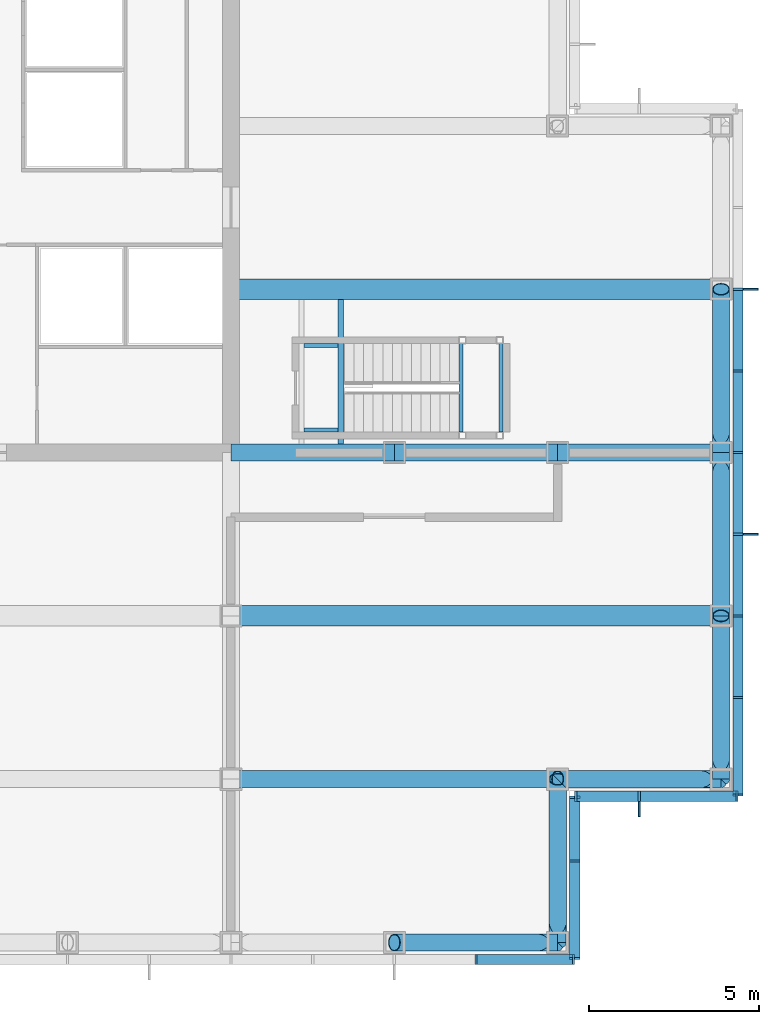
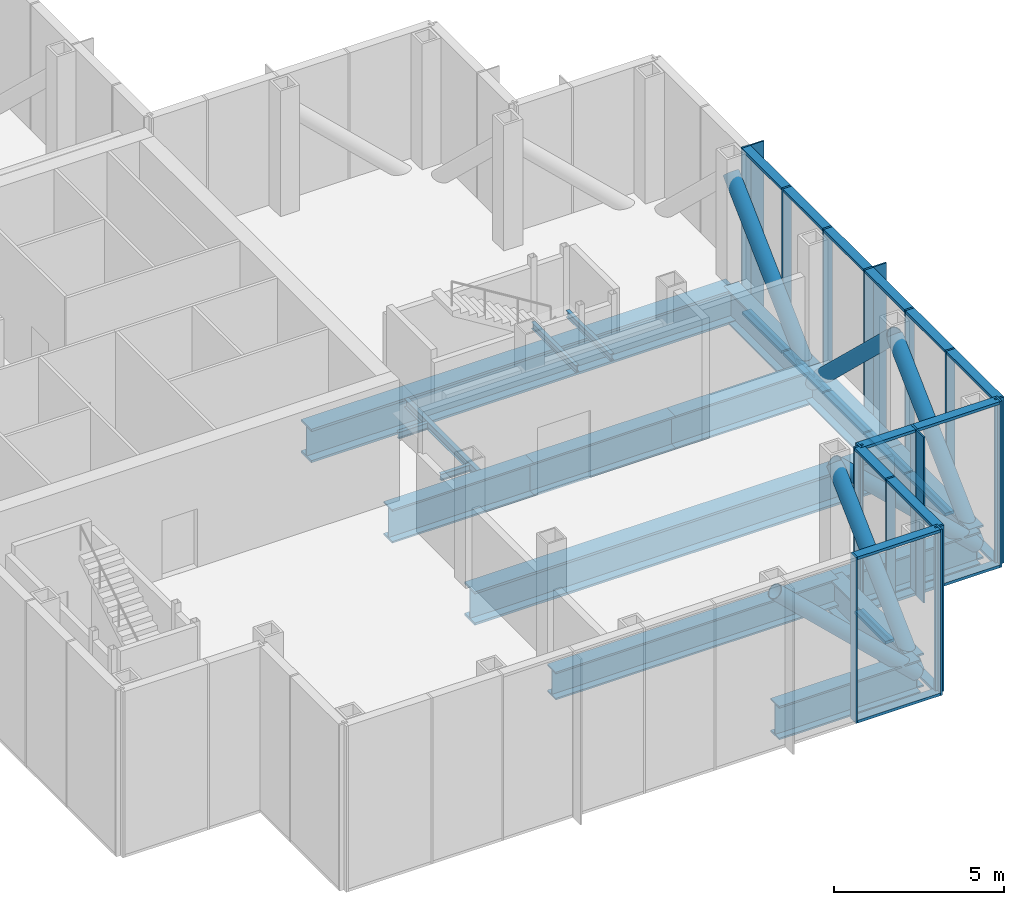
# One storey, part 8 of 17: 46 members, 17 beams, 4 elements without a shape of their own.
"""IFC4 building model written with IfcOpenShell, lengths in metres."""

from ifc_helpers import new_model, si_unit, direction, frame, origin, origin_2d, place, context, subcontext, project, spatial, rectangle, hollow_circle, i_section, extrude, material, material_profile, profile_set, type_object, element, aggregate, save


model = new_model("IFC4")

# Units and contexts
model_context = context("Model", 3, precision=1e-05, world=origin(), true_north=direction((0.0, 1.0)))
body_context = subcontext(model_context, "Body", "Model", "MODEL_VIEW")
ifc_project = project(units=[si_unit("LENGTHUNIT", "METRE"), si_unit("AREAUNIT", "SQUARE_METRE"), si_unit("VOLUMEUNIT", "CUBIC_METRE"), si_unit("PLANEANGLEUNIT", "RADIAN"), si_unit("MASSUNIT", "GRAM", prefix="KILO")], contexts=[model_context])

# Site, building, storey
site_placement = place(None, origin())
site = spatial("IfcSite", under=ifc_project, at=site_placement, CompositionType="ELEMENT")
building_placement = place(site_placement, origin())
building = spatial("IfcBuilding", under=site, at=building_placement, Name="Kvirike Care Tower", CompositionType="ELEMENT")
storey_placement = place(building_placement, frame((0.0, 0.0, 136.5)))
storey = spatial("IfcBuildingStorey", under=building, at=storey_placement, Name="L37", CompositionType="ELEMENT", Elevation=136.5)

# Members
ifc_material_1 = material(Name="Steel S355", Category="steel")
ifc_material_profile_1 = material_profile(ifc_material_1, hollow_circle(Radius=0.25390625, WallThickness=0.02490234375, at=origin_2d()), Name="CHS 508x25")
ifc_profile_set_1 = profile_set([ifc_material_profile_1], Name="Steel S355")
member_type_1 = type_object("IfcMemberType", Name="BELT TRUSS DIAGONAL CHS 508x25", PredefinedType="BRACE", material=ifc_profile_set_1)
for number, where, z_axis, x_axis, name in (
    (1, (43.199951171875, 19.199951171875, -0.85009765625), (0.0, 0.723490032929, 0.690334826191), (-1.0, 0.0, 0.0), "Belt truss diagonal E12-F12 L37"),
    (2, (43.199951171875, 28.800048828125, -0.85009765625), (0.0, -0.723490032929, 0.690334826191), (1.0, 0.0, 0.0), "Belt truss diagonal F12-G12 L37"),
    (3, (43.199951171875, 28.800048828125, -0.85009765625), (0.0, 0.723490032929, 0.690334826191), (-1.0, 0.0, 0.0), "Belt truss diagonal G12-H12 L37"),
):
    element("IfcMember", number, at=place(storey_placement, frame(where, z_axis=z_axis, x_axis=x_axis)), inside=storey, type_object=member_type_1, Name=name, PredefinedType="BRACE", context=body_context, shape_type="SweptSolid", body=[
        extrude(hollow_circle(Radius=0.25390625, WallThickness=0.02490234375, at=origin_2d()), origin(), (0.0, 0.0, 1.0), 6.634521484375),
    ])
member_1_placement = place(storey_placement, frame((38.39990234375, 14.39990234375, -0.85009765625), z_axis=(-0.723472495583, 0.0, 0.690353205348), x_axis=(0.0, -1.0, 0.0)))
element("IfcMember", 4, at=member_1_placement, inside=storey, type_object=member_type_1, Name="Belt truss diagonal D10-D11 L37", PredefinedType="BRACE", context=body_context, shape_type="SweptSolid", body=[
    extrude(hollow_circle(Radius=0.25390625, WallThickness=0.02490234375, at=origin_2d()), origin(), (0.0, 0.0, 1.0), 6.63427734375),
])
for number, where, z_axis, x_axis, name in (
    (5, (38.39990234375, 14.39990234375, -0.85009765625), (0.0, 0.723490032929, 0.690334826191), (-1.0, 0.0, 0.0), "Belt truss diagonal D11-E11 L37"),
    (6, (43.199951171875, 19.199951171875, -0.85009765625), (-0.723490032929, 0.0, 0.690334826191), (0.0, -1.0, 0.0), "Belt truss diagonal E11-E12 L37"),
):
    element("IfcMember", number, at=place(storey_placement, frame(where, z_axis=z_axis, x_axis=x_axis)), inside=storey, type_object=member_type_1, Name=name, PredefinedType="BRACE", context=body_context, shape_type="SweptSolid", body=[
        extrude(hollow_circle(Radius=0.25390625, WallThickness=0.02490234375, at=origin_2d()), origin(), (0.0, 0.0, 1.0), 6.634521484375),
    ])

# Curtain wall, members
ifc_material_2 = material(Name="Anodised aluminium stick system", Category="aluminium")
curtain_wall_type = type_object("IfcCurtainWallType", Name="CW-L LOUVRED PLANT SCREEN", PredefinedType="NOTDEFINED", material=ifc_material_2)
curtain_wall_1_placement = place(storey_placement, origin())
curtain_wall_1 = element("IfcCurtainWall", 7, at=curtain_wall_1_placement, inside=storey, type_object=curtain_wall_type, Name="Curtain wall L37 face 1", PredefinedType="NOTDEFINED")
ifc_material_3 = material(Name="Bronze anodised aluminium fin", Category="aluminium")
ifc_material_profile_2 = material_profile(ifc_material_3, rectangle(XDim=0.050048828125, YDim=0.449951171875, at=origin_2d()), Name="BRONZE FIN 450")
ifc_profile_set_2 = profile_set([ifc_material_profile_2], Name="Bronze anodised aluminium fin")
member_type_2 = type_object("IfcMemberType", Name="BRONZE FIN 450", PredefinedType="USERDEFINED", material=ifc_profile_set_2)
member_2_placement = place(storey_placement, frame((44.074951171875, 26.39990234375, -1.449951171875), z_axis=(0.0, 0.0, 1.0), x_axis=(0.0, 1.0, 0.0)))
member_2 = element("IfcMember", 8, at=member_2_placement, type_object=member_type_2, Name="Bronze fin L37 face 1.4", ObjectType="FIN", PredefinedType="USERDEFINED", context=body_context, shape_type="SweptSolid", body=[
    extrude(rectangle(XDim=0.050048828125, YDim=0.449951171875, at=origin_2d()), origin(), (0.0, 0.0, 1.0), 5.949951171875),
])
member_3_placement = place(storey_placement, frame((44.074951171875, 33.60009765625, -1.449951171875), z_axis=(0.0, 0.0, 1.0), x_axis=(0.0, 1.0, 0.0)))
member_3 = element("IfcMember", 9, at=member_3_placement, type_object=member_type_2, Name="Bronze fin L37 face 1.7", ObjectType="FIN", PredefinedType="USERDEFINED", context=body_context, shape_type="SweptSolid", body=[
    extrude(rectangle(XDim=0.050048828125, YDim=0.449951171875, at=origin_2d()), origin(), (0.0, 0.0, 1.0), 5.949951171875),
])

# Curtain wall, member
curtain_wall_2_placement = place(storey_placement, origin())
curtain_wall_2 = element("IfcCurtainWall", 10, at=curtain_wall_2_placement, inside=storey, type_object=curtain_wall_type, Name="Curtain wall L37 face 20", PredefinedType="NOTDEFINED")
member_4_placement = place(storey_placement, frame((40.800048828125, 18.324951171875, -1.449951171875), z_axis=(0.0, 0.0, 1.0), x_axis=(1.0, 0.0, 0.0)))
member_4 = element("IfcMember", 11, at=member_4_placement, type_object=member_type_2, Name="Bronze fin L37 face 20.2", ObjectType="FIN", PredefinedType="USERDEFINED", context=body_context, shape_type="SweptSolid", body=[
    extrude(rectangle(XDim=0.050048828125, YDim=0.449951171875, at=origin_2d()), origin(), (0.0, 0.0, 1.0), 5.949951171875),
])

# Member
ifc_material_4 = material(Name="Bronze anodised aluminium mullion", Category="aluminium")
ifc_material_profile_3 = material_profile(ifc_material_4, rectangle(XDim=0.06494140625, YDim=0.300048828125, at=origin_2d()), Name="CW-L MULLION 65x300")
ifc_profile_set_3 = profile_set([ifc_material_profile_3], Name="Bronze anodised aluminium mullion")
member_type_3 = type_object("IfcMemberType", Name="CW-L MULLION 65x300", PredefinedType="MULLION", material=ifc_profile_set_3)
member_5_placement = place(storey_placement, frame((43.699951171875, 18.732421875, -1.449951171875), z_axis=(0.0, 0.0, 1.0), x_axis=(0.0, 1.0, 0.0)))
member_5 = element("IfcMember", 12, at=member_5_placement, type_object=member_type_3, Name="CW-L mullion L37 face 1.1", PredefinedType="MULLION", context=body_context, shape_type="SweptSolid", body=[
    extrude(rectangle(XDim=0.06494140625, YDim=0.300048828125, at=origin_2d()), origin(), (0.0, 0.0, 1.0), 5.949951171875),
])

member_6_placement = place(storey_placement, frame((43.699951171875, 21.60009765625, -1.449951171875), z_axis=(0.0, 0.0, 1.0), x_axis=(0.0, 1.0, 0.0)))
member_6 = element("IfcMember", 13, at=member_6_placement, type_object=member_type_3, Name="CW-L mullion L37 face 1.2", PredefinedType="MULLION", context=body_context, shape_type="SweptSolid", body=[
    extrude(rectangle(XDim=0.06494140625, YDim=0.300048828125, at=origin_2d()), origin(), (0.0, 0.0, 1.0), 5.949951171875),
])

member_7_placement = place(storey_placement, frame((43.699951171875, 24.0, -1.449951171875), z_axis=(0.0, 0.0, 1.0), x_axis=(0.0, 1.0, 0.0)))
member_7 = element("IfcMember", 14, at=member_7_placement, type_object=member_type_3, Name="CW-L mullion L37 face 1.3", PredefinedType="MULLION", context=body_context, shape_type="SweptSolid", body=[
    extrude(rectangle(XDim=0.06494140625, YDim=0.300048828125, at=origin_2d()), origin(), (0.0, 0.0, 1.0), 5.949951171875),
])

member_8_placement = place(storey_placement, frame((43.699951171875, 26.39990234375, -1.449951171875), z_axis=(0.0, 0.0, 1.0), x_axis=(0.0, 1.0, 0.0)))
member_8 = element("IfcMember", 15, at=member_8_placement, type_object=member_type_3, Name="CW-L mullion L37 face 1.4", PredefinedType="MULLION", context=body_context, shape_type="SweptSolid", body=[
    extrude(rectangle(XDim=0.06494140625, YDim=0.300048828125, at=origin_2d()), origin(), (0.0, 0.0, 1.0), 5.949951171875),
])

member_9_placement = place(storey_placement, frame((43.699951171875, 28.800048828125, -1.449951171875), z_axis=(0.0, 0.0, 1.0), x_axis=(0.0, 1.0, 0.0)))
member_9 = element("IfcMember", 16, at=member_9_placement, type_object=member_type_3, Name="CW-L mullion L37 face 1.5", PredefinedType="MULLION", context=body_context, shape_type="SweptSolid", body=[
    extrude(rectangle(XDim=0.06494140625, YDim=0.300048828125, at=origin_2d()), origin(), (0.0, 0.0, 1.0), 5.949951171875),
])

member_10_placement = place(storey_placement, frame((43.699951171875, 31.199951171875, -1.449951171875), z_axis=(0.0, 0.0, 1.0), x_axis=(0.0, 1.0, 0.0)))
member_10 = element("IfcMember", 17, at=member_10_placement, type_object=member_type_3, Name="CW-L mullion L37 face 1.6", PredefinedType="MULLION", context=body_context, shape_type="SweptSolid", body=[
    extrude(rectangle(XDim=0.06494140625, YDim=0.300048828125, at=origin_2d()), origin(), (0.0, 0.0, 1.0), 5.949951171875),
])

member_11_placement = place(storey_placement, frame((43.699951171875, 33.60009765625, -1.449951171875), z_axis=(0.0, 0.0, 1.0), x_axis=(0.0, 1.0, 0.0)))
member_11 = element("IfcMember", 18, at=member_11_placement, type_object=member_type_3, Name="CW-L mullion L37 face 1.7", PredefinedType="MULLION", context=body_context, shape_type="SweptSolid", body=[
    extrude(rectangle(XDim=0.06494140625, YDim=0.300048828125, at=origin_2d()), origin(), (0.0, 0.0, 1.0), 5.949951171875),
])

# Curtain wall, members
curtain_wall_3_placement = place(storey_placement, origin())
curtain_wall_3 = element("IfcCurtainWall", 19, at=curtain_wall_3_placement, inside=storey, type_object=curtain_wall_type, Name="Curtain wall L37 face 18", PredefinedType="NOTDEFINED")
member_12_placement = place(storey_placement, frame((36.0, 13.89990234375, -1.449951171875), z_axis=(0.0, 0.0, 1.0), x_axis=(1.0, 0.0, 0.0)))
member_12 = element("IfcMember", 20, at=member_12_placement, type_object=member_type_3, Name="CW-L mullion L37 face 18.8", PredefinedType="MULLION", context=body_context, shape_type="SweptSolid", body=[
    extrude(rectangle(XDim=0.06494140625, YDim=0.300048828125, at=origin_2d()), origin(), (0.0, 0.0, 1.0), 5.949951171875),
])
member_13_placement = place(storey_placement, frame((38.867431640625, 13.89990234375, -1.449951171875), z_axis=(0.0, 0.0, 1.0), x_axis=(1.0, 0.0, 0.0)))
member_13 = element("IfcMember", 21, at=member_13_placement, type_object=member_type_3, Name="CW-L mullion L37 face 18.9", PredefinedType="MULLION", context=body_context, shape_type="SweptSolid", body=[
    extrude(rectangle(XDim=0.06494140625, YDim=0.300048828125, at=origin_2d()), origin(), (0.0, 0.0, 1.0), 5.949951171875),
])

curtain_wall_4_placement = place(storey_placement, origin())
curtain_wall_4 = element("IfcCurtainWall", 22, at=curtain_wall_4_placement, inside=storey, type_object=curtain_wall_type, Name="Curtain wall L37 face 19", PredefinedType="NOTDEFINED")
member_14_placement = place(storey_placement, frame((38.89990234375, 13.9326171875, -1.449951171875), z_axis=(0.0, 0.0, 1.0), x_axis=(0.0, 1.0, 0.0)))
member_14 = element("IfcMember", 23, at=member_14_placement, type_object=member_type_3, Name="CW-L mullion L37 face 19.1", PredefinedType="MULLION", context=body_context, shape_type="SweptSolid", body=[
    extrude(rectangle(XDim=0.06494140625, YDim=0.300048828125, at=origin_2d()), origin(), (0.0, 0.0, 1.0), 5.949951171875),
])
member_15_placement = place(storey_placement, frame((38.89990234375, 16.800048828125, -1.449951171875), z_axis=(0.0, 0.0, 1.0), x_axis=(0.0, 1.0, 0.0)))
member_15 = element("IfcMember", 24, at=member_15_placement, type_object=member_type_3, Name="CW-L mullion L37 face 19.2", PredefinedType="MULLION", context=body_context, shape_type="SweptSolid", body=[
    extrude(rectangle(XDim=0.06494140625, YDim=0.300048828125, at=origin_2d()), origin(), (0.0, 0.0, 1.0), 5.949951171875),
])
member_16_placement = place(storey_placement, frame((38.89990234375, 18.66748046875, -1.449951171875), z_axis=(0.0, 0.0, 1.0), x_axis=(0.0, 1.0, 0.0)))
member_16 = element("IfcMember", 25, at=member_16_placement, type_object=member_type_3, Name="CW-L mullion L37 face 19.3", PredefinedType="MULLION", context=body_context, shape_type="SweptSolid", body=[
    extrude(rectangle(XDim=0.06494140625, YDim=0.300048828125, at=origin_2d()), origin(), (0.0, 0.0, 1.0), 5.949951171875),
])

# Member
member_17_placement = place(storey_placement, frame((38.9326171875, 18.699951171875, -1.449951171875), z_axis=(0.0, 0.0, 1.0), x_axis=(1.0, 0.0, 0.0)))
member_17 = element("IfcMember", 26, at=member_17_placement, type_object=member_type_3, Name="CW-L mullion L37 face 20.1", PredefinedType="MULLION", context=body_context, shape_type="SweptSolid", body=[
    extrude(rectangle(XDim=0.06494140625, YDim=0.300048828125, at=origin_2d()), origin(), (0.0, 0.0, 1.0), 5.949951171875),
])

member_18_placement = place(storey_placement, frame((40.800048828125, 18.699951171875, -1.449951171875), z_axis=(0.0, 0.0, 1.0), x_axis=(1.0, 0.0, 0.0)))
member_18 = element("IfcMember", 27, at=member_18_placement, type_object=member_type_3, Name="CW-L mullion L37 face 20.2", PredefinedType="MULLION", context=body_context, shape_type="SweptSolid", body=[
    extrude(rectangle(XDim=0.06494140625, YDim=0.300048828125, at=origin_2d()), origin(), (0.0, 0.0, 1.0), 5.949951171875),
])

member_19_placement = place(storey_placement, frame((43.66748046875, 18.699951171875, -1.449951171875), z_axis=(0.0, 0.0, 1.0), x_axis=(1.0, 0.0, 0.0)))
member_19 = element("IfcMember", 28, at=member_19_placement, type_object=member_type_3, Name="CW-L mullion L37 face 20.3", PredefinedType="MULLION", context=body_context, shape_type="SweptSolid", body=[
    extrude(rectangle(XDim=0.06494140625, YDim=0.300048828125, at=origin_2d()), origin(), (0.0, 0.0, 1.0), 5.949951171875),
])

ifc_material_5 = material(Name="Bronze anodised aluminium transom", Category="aluminium")
ifc_material_profile_4 = material_profile(ifc_material_5, rectangle(XDim=0.300048828125, YDim=0.10009765625, at=origin_2d()), Name="CW-L TRANSOM 300x100")
ifc_profile_set_4 = profile_set([ifc_material_profile_4], Name="Bronze anodised aluminium transom")
member_type_4 = type_object("IfcMemberType", Name="CW-L TRANSOM 300x100", PredefinedType="USERDEFINED", material=ifc_profile_set_4)
member_20_placement = place(storey_placement, frame((43.699951171875, 18.764892578125, -1.39990234375), z_axis=(0.0, 1.0, 0.0), x_axis=(-1.0, 0.0, 0.0)))
member_20 = element("IfcMember", 29, at=member_20_placement, type_object=member_type_4, Name="CW-L sill transom L37 face 1.1", ObjectType="TRANSOM", PredefinedType="USERDEFINED", context=body_context, shape_type="SweptSolid", body=[
    extrude(rectangle(XDim=0.300048828125, YDim=0.10009765625, at=origin_2d()), origin(), (0.0, 0.0, 1.0), 2.802490234375),
])

member_21_placement = place(storey_placement, frame((43.699951171875, 18.764892578125, 4.449951171875), z_axis=(0.0, 1.0, 0.0), x_axis=(-1.0, 0.0, 0.0)))
member_21 = element("IfcMember", 30, at=member_21_placement, type_object=member_type_4, Name="CW-L head transom L37 face 1.1", ObjectType="TRANSOM", PredefinedType="USERDEFINED", context=body_context, shape_type="SweptSolid", body=[
    extrude(rectangle(XDim=0.300048828125, YDim=0.10009765625, at=origin_2d()), origin(), (0.0, 0.0, 1.0), 2.802490234375),
])

member_22_placement = place(storey_placement, frame((43.699951171875, 21.632568359375, -1.39990234375), z_axis=(0.0, 1.0, 0.0), x_axis=(-1.0, 0.0, 0.0)))
member_22 = element("IfcMember", 31, at=member_22_placement, type_object=member_type_4, Name="CW-L sill transom L37 face 1.2", ObjectType="TRANSOM", PredefinedType="USERDEFINED", context=body_context, shape_type="SweptSolid", body=[
    extrude(rectangle(XDim=0.300048828125, YDim=0.10009765625, at=origin_2d()), origin(), (0.0, 0.0, 1.0), 2.3349609375),
])

member_23_placement = place(storey_placement, frame((43.699951171875, 21.632568359375, 4.449951171875), z_axis=(0.0, 1.0, 0.0), x_axis=(-1.0, 0.0, 0.0)))
member_23 = element("IfcMember", 32, at=member_23_placement, type_object=member_type_4, Name="CW-L head transom L37 face 1.2", ObjectType="TRANSOM", PredefinedType="USERDEFINED", context=body_context, shape_type="SweptSolid", body=[
    extrude(rectangle(XDim=0.300048828125, YDim=0.10009765625, at=origin_2d()), origin(), (0.0, 0.0, 1.0), 2.3349609375),
])

member_24_placement = place(storey_placement, frame((43.699951171875, 24.032470703125, -1.39990234375), z_axis=(0.0, 1.0, 0.0), x_axis=(-1.0, 0.0, 0.0)))
member_24 = element("IfcMember", 33, at=member_24_placement, type_object=member_type_4, Name="CW-L sill transom L37 face 1.3", ObjectType="TRANSOM", PredefinedType="USERDEFINED", context=body_context, shape_type="SweptSolid", body=[
    extrude(rectangle(XDim=0.300048828125, YDim=0.10009765625, at=origin_2d()), origin(), (0.0, 0.0, 1.0), 2.3349609375),
])

member_25_placement = place(storey_placement, frame((43.699951171875, 24.032470703125, 4.449951171875), z_axis=(0.0, 1.0, 0.0), x_axis=(-1.0, 0.0, 0.0)))
member_25 = element("IfcMember", 34, at=member_25_placement, type_object=member_type_4, Name="CW-L head transom L37 face 1.3", ObjectType="TRANSOM", PredefinedType="USERDEFINED", context=body_context, shape_type="SweptSolid", body=[
    extrude(rectangle(XDim=0.300048828125, YDim=0.10009765625, at=origin_2d()), origin(), (0.0, 0.0, 1.0), 2.3349609375),
])

member_26_placement = place(storey_placement, frame((43.699951171875, 26.4326171875, -1.39990234375), z_axis=(0.0, 1.0, 0.0), x_axis=(-1.0, 0.0, 0.0)))
member_26 = element("IfcMember", 35, at=member_26_placement, type_object=member_type_4, Name="CW-L sill transom L37 face 1.4", ObjectType="TRANSOM", PredefinedType="USERDEFINED", context=body_context, shape_type="SweptSolid", body=[
    extrude(rectangle(XDim=0.300048828125, YDim=0.10009765625, at=origin_2d()), origin(), (0.0, 0.0, 1.0), 2.3349609375),
])

member_27_placement = place(storey_placement, frame((43.699951171875, 26.4326171875, 4.449951171875), z_axis=(0.0, 1.0, 0.0), x_axis=(-1.0, 0.0, 0.0)))
member_27 = element("IfcMember", 36, at=member_27_placement, type_object=member_type_4, Name="CW-L head transom L37 face 1.4", ObjectType="TRANSOM", PredefinedType="USERDEFINED", context=body_context, shape_type="SweptSolid", body=[
    extrude(rectangle(XDim=0.300048828125, YDim=0.10009765625, at=origin_2d()), origin(), (0.0, 0.0, 1.0), 2.3349609375),
])

member_28_placement = place(storey_placement, frame((43.699951171875, 28.83251953125, -1.39990234375), z_axis=(0.0, 1.0, 0.0), x_axis=(-1.0, 0.0, 0.0)))
member_28 = element("IfcMember", 37, at=member_28_placement, type_object=member_type_4, Name="CW-L sill transom L37 face 1.5", ObjectType="TRANSOM", PredefinedType="USERDEFINED", context=body_context, shape_type="SweptSolid", body=[
    extrude(rectangle(XDim=0.300048828125, YDim=0.10009765625, at=origin_2d()), origin(), (0.0, 0.0, 1.0), 2.3349609375),
])

member_29_placement = place(storey_placement, frame((43.699951171875, 28.83251953125, 4.449951171875), z_axis=(0.0, 1.0, 0.0), x_axis=(-1.0, 0.0, 0.0)))
member_29 = element("IfcMember", 38, at=member_29_placement, type_object=member_type_4, Name="CW-L head transom L37 face 1.5", ObjectType="TRANSOM", PredefinedType="USERDEFINED", context=body_context, shape_type="SweptSolid", body=[
    extrude(rectangle(XDim=0.300048828125, YDim=0.10009765625, at=origin_2d()), origin(), (0.0, 0.0, 1.0), 2.3349609375),
])

member_30_placement = place(storey_placement, frame((43.699951171875, 31.232421875, -1.39990234375), z_axis=(0.0, 1.0, 0.0), x_axis=(-1.0, 0.0, 0.0)))
member_30 = element("IfcMember", 39, at=member_30_placement, type_object=member_type_4, Name="CW-L sill transom L37 face 1.6", ObjectType="TRANSOM", PredefinedType="USERDEFINED", context=body_context, shape_type="SweptSolid", body=[
    extrude(rectangle(XDim=0.300048828125, YDim=0.10009765625, at=origin_2d()), origin(), (0.0, 0.0, 1.0), 2.3349609375),
])

member_31_placement = place(storey_placement, frame((43.699951171875, 31.232421875, 4.449951171875), z_axis=(0.0, 1.0, 0.0), x_axis=(-1.0, 0.0, 0.0)))
member_31 = element("IfcMember", 40, at=member_31_placement, type_object=member_type_4, Name="CW-L head transom L37 face 1.6", ObjectType="TRANSOM", PredefinedType="USERDEFINED", context=body_context, shape_type="SweptSolid", body=[
    extrude(rectangle(XDim=0.300048828125, YDim=0.10009765625, at=origin_2d()), origin(), (0.0, 0.0, 1.0), 2.3349609375),
])

aggregate(curtain_wall_1, [member_5, member_6, member_7, member_8, member_2, member_9, member_10, member_11, member_3, member_20, member_21, member_22, member_23, member_24, member_25, member_26, member_27, member_28, member_29, member_30, member_31])

member_32_placement = place(storey_placement, frame((36.032470703125, 13.89990234375, -1.39990234375), z_axis=(1.0, 0.0, 0.0), x_axis=(0.0, 1.0, 0.0)))
member_32 = element("IfcMember", 41, at=member_32_placement, type_object=member_type_4, Name="CW-L sill transom L37 face 18.8", ObjectType="TRANSOM", PredefinedType="USERDEFINED", context=body_context, shape_type="SweptSolid", body=[
    extrude(rectangle(XDim=0.300048828125, YDim=0.10009765625, at=origin_2d()), origin(), (0.0, 0.0, 1.0), 2.802490234375),
])

member_33_placement = place(storey_placement, frame((36.032470703125, 13.89990234375, 4.449951171875), z_axis=(1.0, 0.0, 0.0), x_axis=(0.0, 1.0, 0.0)))
member_33 = element("IfcMember", 42, at=member_33_placement, type_object=member_type_4, Name="CW-L head transom L37 face 18.8", ObjectType="TRANSOM", PredefinedType="USERDEFINED", context=body_context, shape_type="SweptSolid", body=[
    extrude(rectangle(XDim=0.300048828125, YDim=0.10009765625, at=origin_2d()), origin(), (0.0, 0.0, 1.0), 2.802490234375),
])

aggregate(curtain_wall_3, [member_12, member_13, member_32, member_33])

member_34_placement = place(storey_placement, frame((38.89990234375, 13.965087890625, -1.39990234375), z_axis=(0.0, 1.0, 0.0), x_axis=(-1.0, 0.0, 0.0)))
member_34 = element("IfcMember", 43, at=member_34_placement, type_object=member_type_4, Name="CW-L sill transom L37 face 19.1", ObjectType="TRANSOM", PredefinedType="USERDEFINED", context=body_context, shape_type="SweptSolid", body=[
    extrude(rectangle(XDim=0.300048828125, YDim=0.10009765625, at=origin_2d()), origin(), (0.0, 0.0, 1.0), 2.802490234375),
])

member_35_placement = place(storey_placement, frame((38.89990234375, 13.965087890625, 4.449951171875), z_axis=(0.0, 1.0, 0.0), x_axis=(-1.0, 0.0, 0.0)))
member_35 = element("IfcMember", 44, at=member_35_placement, type_object=member_type_4, Name="CW-L head transom L37 face 19.1", ObjectType="TRANSOM", PredefinedType="USERDEFINED", context=body_context, shape_type="SweptSolid", body=[
    extrude(rectangle(XDim=0.300048828125, YDim=0.10009765625, at=origin_2d()), origin(), (0.0, 0.0, 1.0), 2.802490234375),
])

member_36_placement = place(storey_placement, frame((38.89990234375, 16.83251953125, -1.39990234375), z_axis=(0.0, 1.0, 0.0), x_axis=(-1.0, 0.0, 0.0)))
member_36 = element("IfcMember", 45, at=member_36_placement, type_object=member_type_4, Name="CW-L sill transom L37 face 19.2", ObjectType="TRANSOM", PredefinedType="USERDEFINED", context=body_context, shape_type="SweptSolid", body=[
    extrude(rectangle(XDim=0.300048828125, YDim=0.10009765625, at=origin_2d()), origin(), (0.0, 0.0, 1.0), 1.802490234375),
])

member_37_placement = place(storey_placement, frame((38.89990234375, 16.83251953125, 4.449951171875), z_axis=(0.0, 1.0, 0.0), x_axis=(-1.0, 0.0, 0.0)))
member_37 = element("IfcMember", 46, at=member_37_placement, type_object=member_type_4, Name="CW-L head transom L37 face 19.2", ObjectType="TRANSOM", PredefinedType="USERDEFINED", context=body_context, shape_type="SweptSolid", body=[
    extrude(rectangle(XDim=0.300048828125, YDim=0.10009765625, at=origin_2d()), origin(), (0.0, 0.0, 1.0), 1.802490234375),
])

aggregate(curtain_wall_4, [member_14, member_15, member_16, member_34, member_35, member_36, member_37])

member_38_placement = place(storey_placement, frame((38.965087890625, 18.699951171875, -1.39990234375), z_axis=(1.0, 0.0, 0.0), x_axis=(0.0, 1.0, 0.0)))
member_38 = element("IfcMember", 47, at=member_38_placement, type_object=member_type_4, Name="CW-L sill transom L37 face 20.1", ObjectType="TRANSOM", PredefinedType="USERDEFINED", context=body_context, shape_type="SweptSolid", body=[
    extrude(rectangle(XDim=0.300048828125, YDim=0.10009765625, at=origin_2d()), origin(), (0.0, 0.0, 1.0), 1.802490234375),
])

member_39_placement = place(storey_placement, frame((38.965087890625, 18.699951171875, 4.449951171875), z_axis=(1.0, 0.0, 0.0), x_axis=(0.0, 1.0, 0.0)))
member_39 = element("IfcMember", 48, at=member_39_placement, type_object=member_type_4, Name="CW-L head transom L37 face 20.1", ObjectType="TRANSOM", PredefinedType="USERDEFINED", context=body_context, shape_type="SweptSolid", body=[
    extrude(rectangle(XDim=0.300048828125, YDim=0.10009765625, at=origin_2d()), origin(), (0.0, 0.0, 1.0), 1.802490234375),
])

member_40_placement = place(storey_placement, frame((40.83251953125, 18.699951171875, -1.39990234375), z_axis=(1.0, 0.0, 0.0), x_axis=(0.0, 1.0, 0.0)))
member_40 = element("IfcMember", 49, at=member_40_placement, type_object=member_type_4, Name="CW-L sill transom L37 face 20.2", ObjectType="TRANSOM", PredefinedType="USERDEFINED", context=body_context, shape_type="SweptSolid", body=[
    extrude(rectangle(XDim=0.300048828125, YDim=0.10009765625, at=origin_2d()), origin(), (0.0, 0.0, 1.0), 2.802490234375),
])

member_41_placement = place(storey_placement, frame((40.83251953125, 18.699951171875, 4.449951171875), z_axis=(1.0, 0.0, 0.0), x_axis=(0.0, 1.0, 0.0)))
member_41 = element("IfcMember", 50, at=member_41_placement, type_object=member_type_4, Name="CW-L head transom L37 face 20.2", ObjectType="TRANSOM", PredefinedType="USERDEFINED", context=body_context, shape_type="SweptSolid", body=[
    extrude(rectangle(XDim=0.300048828125, YDim=0.10009765625, at=origin_2d()), origin(), (0.0, 0.0, 1.0), 2.802490234375),
])

aggregate(curtain_wall_2, [member_17, member_18, member_4, member_19, member_38, member_39, member_40, member_41])

# Beams
ifc_material_6 = material(Name="Steel S355", Category="steel")
ifc_material_profile_5 = material_profile(ifc_material_6, i_section(OverallWidth=0.5, OverallDepth=1.199951171875, WebThickness=0.030029296875, FlangeThickness=0.06005859375, at=origin_2d()), Name="PG 1200x500x30x60")
ifc_profile_set_5 = profile_set([ifc_material_profile_5], Name="Steel S355")
beam_type_1 = type_object("IfcBeamType", Name="FRAME BEAM PG 1200x500x30x60", PredefinedType="BEAM", material=ifc_profile_set_5)
beam_1_placement = place(storey_placement, frame((28.800048828125, 28.800048828125, -0.85009765625), z_axis=(1.0, 0.0, 0.0), x_axis=(0.0, 1.0, 0.0)))
element("IfcBeam", 51, at=beam_1_placement, inside=storey, type_object=beam_type_1, Name="Frame Beam G9-G10 L37", PredefinedType="BEAM", context=body_context, shape_type="SweptSolid", body=[
    extrude(i_section(OverallWidth=0.5, OverallDepth=1.199951171875, WebThickness=0.030029296875, FlangeThickness=0.06005859375, at=origin_2d()), origin(), (0.0, 0.0, 1.0), 4.800048828125),
])
beam_2_placement = place(storey_placement, frame((33.60009765625, 28.800048828125, -0.85009765625), z_axis=(1.0, 0.0, 0.0), x_axis=(0.0, 1.0, 0.0)))
element("IfcBeam", 52, at=beam_2_placement, inside=storey, type_object=beam_type_1, Name="Frame Beam G10-G11 L37", PredefinedType="BEAM", context=body_context, shape_type="SweptSolid", body=[
    extrude(i_section(OverallWidth=0.5, OverallDepth=1.199951171875, WebThickness=0.030029296875, FlangeThickness=0.06005859375, at=origin_2d()), origin(), (0.0, 0.0, 1.0), 4.7998046875),
])
beam_3_placement = place(storey_placement, frame((38.39990234375, 28.800048828125, -0.85009765625), z_axis=(1.0, 0.0, 0.0), x_axis=(0.0, 1.0, 0.0)))
element("IfcBeam", 53, at=beam_3_placement, inside=storey, type_object=beam_type_1, Name="Frame Beam G11-G12 L37", PredefinedType="BEAM", context=body_context, shape_type="SweptSolid", body=[
    extrude(i_section(OverallWidth=0.5, OverallDepth=1.199951171875, WebThickness=0.030029296875, FlangeThickness=0.06005859375, at=origin_2d()), origin(), (0.0, 0.0, 1.0), 4.800048828125),
])
ifc_material_7 = material(Name="Steel S355", Category="steel")
ifc_material_profile_6 = material_profile(ifc_material_7, i_section(OverallWidth=0.5, OverallDepth=1.0, WebThickness=0.030029296875, FlangeThickness=0.06005859375, at=origin_2d()), Name="PG 1000x500x30x60")
ifc_profile_set_6 = profile_set([ifc_material_profile_6], Name="Steel S355")
beam_type_2 = type_object("IfcBeamType", Name="PLANT FLOOR GIRDER PG 1000x500x30x60", PredefinedType="BEAM", material=ifc_profile_set_6)
beam_4_placement = place(storey_placement, frame((28.800048828125, 19.199951171875, -0.75), z_axis=(1.0, 0.0, 0.0), x_axis=(0.0, 1.0, 0.0)))
element("IfcBeam", 54, at=beam_4_placement, inside=storey, type_object=beam_type_2, Name="Plant Floor Girder E9-E11 L37", PredefinedType="BEAM", context=body_context, shape_type="SweptSolid", body=[
    extrude(i_section(OverallWidth=0.5, OverallDepth=1.0, WebThickness=0.030029296875, FlangeThickness=0.06005859375, at=origin_2d()), origin(), (0.0, 0.0, 1.0), 9.599853515625),
])
ifc_material_8 = material(Name="Steel S355", Category="steel")
ifc_material_profile_7 = material_profile(ifc_material_8, i_section(OverallWidth=0.60009765625, OverallDepth=1.199951171875, WebThickness=0.0400390625, FlangeThickness=0.080078125, at=origin_2d()), Name="PG 1200x600x40x80")
ifc_profile_set_7 = profile_set([ifc_material_profile_7], Name="Steel S355")
beam_type_3 = type_object("IfcBeamType", Name="PLANT FLOOR GIRDER PG 1200x600x40x80", PredefinedType="BEAM", material=ifc_profile_set_7)
for number, where, z_axis, x_axis, name in (
    (55, (28.800048828125, 24.0, -0.85009765625), (1.0, 0.0, 0.0), (0.0, 1.0, 0.0), "Plant Floor Girder F9-F12 L37"),
    (56, (28.800048828125, 33.60009765625, -0.85009765625), (1.0, 0.0, 0.0), (0.0, 1.0, 0.0), "Plant Floor Girder H9-H12 L37"),
):
    element("IfcBeam", number, at=place(storey_placement, frame(where, z_axis=z_axis, x_axis=x_axis)), inside=storey, type_object=beam_type_3, Name=name, PredefinedType="BEAM", context=body_context, shape_type="SweptSolid", body=[
        extrude(i_section(OverallWidth=0.60009765625, OverallDepth=1.199951171875, WebThickness=0.0400390625, FlangeThickness=0.080078125, at=origin_2d()), origin(), (0.0, 0.0, 1.0), 14.39990234375),
    ])
ifc_material_9 = material(Name="Steel S355", Category="steel")
ifc_material_profile_8 = material_profile(ifc_material_9, i_section(OverallWidth=0.5, OverallDepth=1.199951171875, WebThickness=0.030029296875, FlangeThickness=0.06005859375, at=origin_2d()), Name="PG 1200x500x30x60")
ifc_profile_set_8 = profile_set([ifc_material_profile_8], Name="Steel S355")
beam_type_4 = type_object("IfcBeamType", Name="SPANDREL PG 1200x500x30x60", PredefinedType="SPANDREL", material=ifc_profile_set_8)
beam_5_placement = place(storey_placement, frame((33.60009765625, 14.39990234375, -0.85009765625), z_axis=(1.0, 0.0, 0.0), x_axis=(0.0, 1.0, 0.0)))
element("IfcBeam", 57, at=beam_5_placement, inside=storey, type_object=beam_type_4, Name="Spandrel D10-D11 L37", PredefinedType="SPANDREL", context=body_context, shape_type="SweptSolid", body=[
    extrude(i_section(OverallWidth=0.5, OverallDepth=1.199951171875, WebThickness=0.030029296875, FlangeThickness=0.06005859375, at=origin_2d()), origin(), (0.0, 0.0, 1.0), 4.7998046875),
])
for number, where, z_axis, x_axis, name in (
    (58, (38.39990234375, 19.199951171875, -0.85009765625), (1.0, 0.0, 0.0), (0.0, 1.0, 0.0), "Spandrel E11-E12 L37"),
    (59, (38.39990234375, 14.39990234375, -0.85009765625), (0.0, 1.0, 0.0), (-1.0, 0.0, 0.0), "Spandrel D11-E11 L37"),
    (60, (43.199951171875, 19.199951171875, -0.85009765625), (0.0, 1.0, 0.0), (-1.0, 0.0, 0.0), "Spandrel E12-F12 L37"),
    (61, (43.199951171875, 24.0, -0.85009765625), (0.0, 1.0, 0.0), (-1.0, 0.0, 0.0), "Spandrel F12-G12 L37"),
    (62, (43.199951171875, 28.800048828125, -0.85009765625), (0.0, 1.0, 0.0), (-1.0, 0.0, 0.0), "Spandrel G12-H12 L37"),
):
    element("IfcBeam", number, at=place(storey_placement, frame(where, z_axis=z_axis, x_axis=x_axis)), inside=storey, type_object=beam_type_4, Name=name, PredefinedType="SPANDREL", context=body_context, shape_type="SweptSolid", body=[
        extrude(i_section(OverallWidth=0.5, OverallDepth=1.199951171875, WebThickness=0.030029296875, FlangeThickness=0.06005859375, at=origin_2d()), origin(), (0.0, 0.0, 1.0), 4.800048828125),
    ])
ifc_material_10 = material(Name="Steel S355", Category="steel")
ifc_material_profile_9 = material_profile(ifc_material_10, i_section(OverallWidth=0.1201171875, OverallDepth=0.239990234375, WebThickness=0.006103515625, FlangeThickness=0.009765625, FilletRadius=0.014892578125, at=origin_2d()), Name="IPE 240")
ifc_profile_set_9 = profile_set([ifc_material_profile_9], Name="Steel S355")
beam_type_5 = type_object("IfcBeamType", Name="STAIR LANDING BEAM IPE 240", PredefinedType="BEAM", material=ifc_profile_set_9)
for number, where, z_axis, x_axis, name in (
    (63, (36.739990234375, 29.39990234375, 1.929931640625), (0.0, 1.0, 0.0), (-1.0, 0.0, 0.0), "Stair 2 landing beam back L37"),
    (64, (35.56005859375, 29.39990234375, 1.929931640625), (0.0, 1.0, 0.0), (-1.0, 0.0, 0.0), "Stair 2 landing beam front L37"),
):
    element("IfcBeam", number, at=place(storey_placement, frame(where, z_axis=z_axis, x_axis=x_axis)), inside=storey, type_object=beam_type_5, Name=name, PredefinedType="BEAM", context=body_context, shape_type="SweptSolid", body=[
        extrude(i_section(OverallWidth=0.1201171875, OverallDepth=0.239990234375, WebThickness=0.006103515625, FlangeThickness=0.009765625, FilletRadius=0.014892578125, at=origin_2d()), origin(), (0.0, 0.0, 1.0), 2.60009765625),
    ])
for number, where, z_axis, x_axis, name in (
    (65, (31.949951171875, 29.4599609375, -0.3701171875), (-1.0, 0.0, 0.0), (0.0, -1.0, 0.0), "Stair 2 landing edge beam 1 L37"),
    (66, (31.949951171875, 31.93994140625, -0.3701171875), (-1.0, 0.0, 0.0), (0.0, -1.0, 0.0), "Stair 2 landing edge beam 2 L37"),
):
    element("IfcBeam", number, at=place(storey_placement, frame(where, z_axis=z_axis, x_axis=x_axis)), inside=storey, type_object=beam_type_5, Name=name, PredefinedType="BEAM", context=body_context, shape_type="SweptSolid", body=[
        extrude(i_section(OverallWidth=0.1201171875, OverallDepth=0.239990234375, WebThickness=0.006103515625, FlangeThickness=0.009765625, FilletRadius=0.014892578125, at=origin_2d()), origin(), (0.0, 0.0, 1.0), 1.0),
    ])
ifc_material_11 = material(Name="Steel S355", Category="steel")
ifc_material_profile_10 = material_profile(ifc_material_11, i_section(OverallWidth=0.14990234375, OverallDepth=0.300048828125, WebThickness=0.007080078125, FlangeThickness=0.0107421875, FilletRadius=0.014892578125, at=origin_2d()), Name="IPE 300")
ifc_profile_set_10 = profile_set([ifc_material_profile_10], Name="Steel S355")
beam_type_6 = type_object("IfcBeamType", Name="STAIR TRIMMER IPE 300", PredefinedType="BEAM", material=ifc_profile_set_10)
beam_6_placement = place(storey_placement, frame((32.02490234375, 29.050048828125, -0.39990234375), z_axis=(0.0, 1.0, 0.0), x_axis=(-1.0, 0.0, 0.0)))
element("IfcBeam", 67, at=beam_6_placement, inside=storey, type_object=beam_type_6, Name="Stair 2 trimmer 1 L37", PredefinedType="BEAM", context=body_context, shape_type="SweptSolid", body=[
    extrude(i_section(OverallWidth=0.14990234375, OverallDepth=0.300048828125, WebThickness=0.007080078125, FlangeThickness=0.0107421875, FilletRadius=0.014892578125, at=origin_2d()), origin(), (0.0, 0.0, 1.0), 4.25),
])

save(model, "model.ifc")
